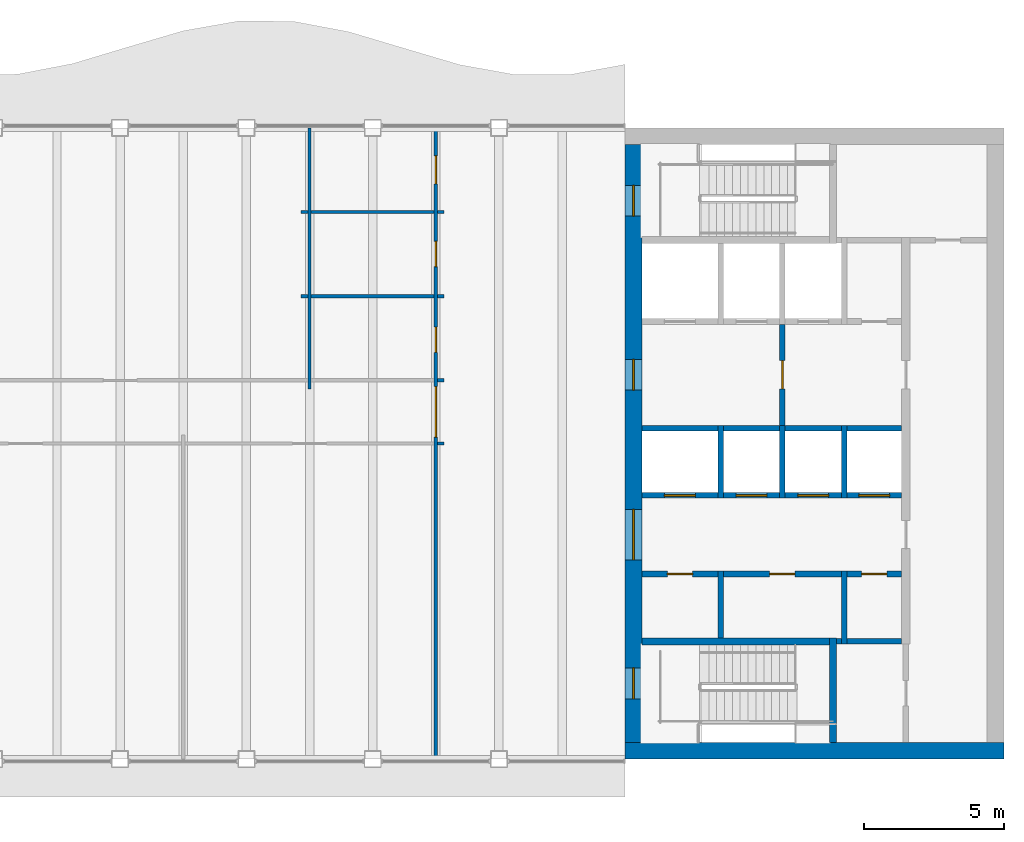
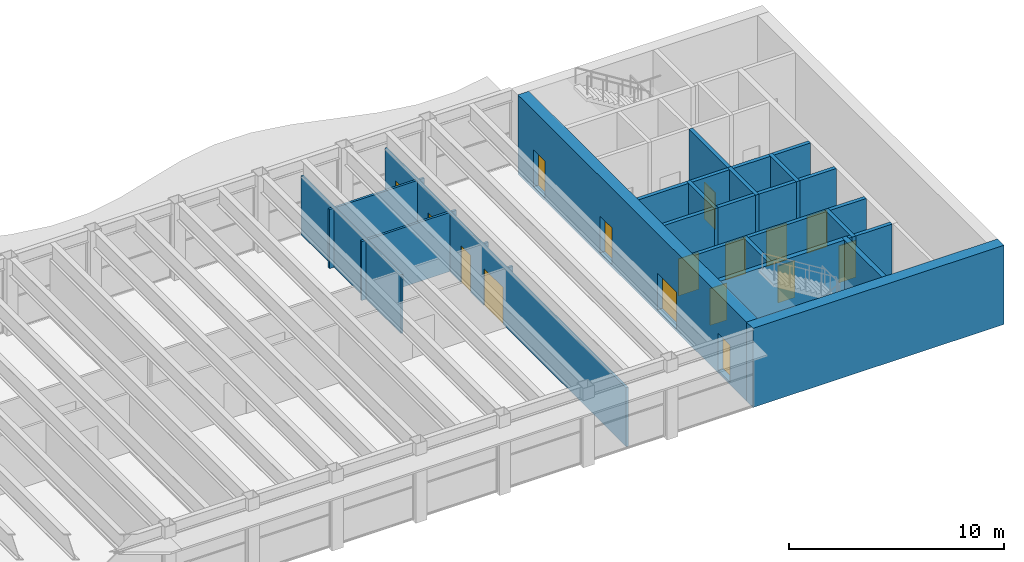
# One storey, part 10 of 15: 33 walls, 16 doors, 16 openings.
"""IFC4 building model written with IfcOpenShell, lengths in metres."""

from ifc_helpers import new_model, si_unit, direction, frame, frame_2d, origin, place, context, subcontext, project, spatial, rectangle, extrude, material, layer, layer_set, type_object, element, fill, save


model = new_model("IFC4")

# Units and contexts
model_context = context("Model", 3, precision=1e-05, world=origin(), true_north=direction((0.0, 1.0)))
body_context = subcontext(model_context, "Body", "Model", "MODEL_VIEW")
ifc_project = project(units=[si_unit("LENGTHUNIT", "METRE"), si_unit("AREAUNIT", "SQUARE_METRE"), si_unit("VOLUMEUNIT", "CUBIC_METRE"), si_unit("PLANEANGLEUNIT", "RADIAN"), si_unit("MASSUNIT", "GRAM", prefix="KILO")], contexts=[model_context])

# Site, building, storey
site_placement = place(None, origin())
site = spatial("IfcSite", under=ifc_project, at=site_placement, CompositionType="ELEMENT")
building_placement = place(site_placement, origin())
building = spatial("IfcBuilding", under=site, at=building_placement, Name="Sennacour Bend Tower", CompositionType="ELEMENT")
storey_placement = place(building_placement, frame((0.0, 0.0, 318.5)))
storey = spatial("IfcBuildingStorey", under=building, at=storey_placement, Name="L73", CompositionType="ELEMENT", Elevation=318.5)

# Wall
ifc_material_1 = material(Name="Concrete C50/60", Category="concrete")
ifc_layer_1 = layer(ifc_material_1, 0.60009765625, Name="Concrete C50/60", Category="concrete")
ifc_layer_set_1 = layer_set([ifc_layer_1], Name="Concrete C50/60")
wall_type_1 = type_object("IfcWallType", Name="Core wall 600 C50/60", PredefinedType="SHEAR", material=ifc_layer_set_1)
wall_1_placement = place(storey_placement, frame((67.5, 0.300048828125, -0.14990234375), z_axis=(0.0, 0.0, 1.0), x_axis=(-1.0, 0.0, 0.0)))
element("IfcWall", 1, at=wall_1_placement, inside=storey, type_object=wall_type_1, Name="Core A wall L73 S", PredefinedType="SHEAR", context=body_context, shape_type="SweptSolid", body=[
    extrude(rectangle(XDim=13.5, YDim=0.60009765625, at=frame_2d((6.75, 0.0))), origin(), (0.0, 0.0, 1.0), 4.5),
])

# Wall, openings, doors
wall_2_placement = place(storey_placement, frame((54.300048828125, 0.60009765625, -0.14990234375), z_axis=(0.0, 0.0, 1.0), x_axis=(0.0, 1.0, 0.0)))
wall_2 = element("IfcWall", 2, at=wall_2_placement, inside=storey, type_object=wall_type_1, Name="Core A wall L73 W", PredefinedType="SHEAR", context=body_context, shape_type="SweptSolid", body=[
    extrude(rectangle(XDim=21.2998046875, YDim=0.60009765625, at=frame_2d((10.64990234375, 0.0))), origin(), (0.0, 0.0, 1.0), 4.5),
])
opening_1_placement = place(wall_2_placement, frame((6.5, 0.0, 0.14990234375)))
opening_1 = element("IfcOpeningElement", 3, at=opening_1_placement, cuts=wall_2, Name="Opening CD", PredefinedType="OPENING", context=body_context, shape_type="SweptSolid", body=[
    extrude(rectangle(XDim=1.800048828125, YDim=2.10009765625, at=frame_2d((0.89990234375, 1.050048828125))), frame((0.0, 0.31005859375, 0.0), z_axis=(0.0, -1.0, 0.0), x_axis=(1.0, 0.0, 0.0)), (0.0, 0.0, 1.0), 0.6201171875),
])
opening_2_placement = place(wall_2_placement, frame((12.550048828125, 0.0, 0.14990234375)))
opening_2 = element("IfcOpeningElement", 4, at=opening_2_placement, cuts=wall_2, Name="Opening FD", PredefinedType="OPENING", context=body_context, shape_type="SweptSolid", body=[
    extrude(rectangle(XDim=1.10009765625, YDim=2.10009765625, at=frame_2d((0.550048828125, 1.050048828125))), frame((0.0, 0.31005859375, 0.0), z_axis=(0.0, -1.0, 0.0), x_axis=(1.0, 0.0, 0.0)), (0.0, 0.0, 1.0), 0.6201171875),
])
opening_3_placement = place(wall_2_placement, frame((1.550048828125, 0.0, 0.14990234375)))
opening_3 = element("IfcOpeningElement", 5, at=opening_3_placement, cuts=wall_2, Name="Opening SD", PredefinedType="OPENING", context=body_context, shape_type="SweptSolid", body=[
    extrude(rectangle(XDim=1.10009765625, YDim=2.10009765625, at=frame_2d((0.550048828125, 1.050048828125))), frame((0.0, 0.31005859375, 0.0), z_axis=(0.0, -1.0, 0.0), x_axis=(1.0, 0.0, 0.0)), (0.0, 0.0, 1.0), 0.6201171875),
])
opening_4_placement = place(wall_2_placement, frame((18.75, 0.0, 0.14990234375)))
opening_4 = element("IfcOpeningElement", 6, at=opening_4_placement, cuts=wall_2, Name="Opening SD", PredefinedType="OPENING", context=body_context, shape_type="SweptSolid", body=[
    extrude(rectangle(XDim=1.10009765625, YDim=2.10009765625, at=frame_2d((0.550048828125, 1.050048828125))), frame((0.0, 0.31005859375, 0.0), z_axis=(0.0, -1.0, 0.0), x_axis=(1.0, 0.0, 0.0)), (0.0, 0.0, 1.0), 0.6201171875),
])
ifc_material_2 = material(Name="Painted steel", Category="steel")
door_type_1 = type_object("IfcDoorType", Name="DR-FFL-1100", OperationType="NOTDEFINED", PredefinedType="DOOR", material=ifc_material_2)
door_1_placement = place(opening_2_placement, origin())
door_1 = element("IfcDoor", 7, at=door_1_placement, inside=storey, type_object=door_type_1, Name="Door", OperationType="SINGLE_SWING_RIGHT", OverallHeight=2.10009765625, OverallWidth=1.10009765625, PredefinedType="DOOR", context=body_context, shape_type="SweptSolid", body=[
    extrude(rectangle(XDim=1.10009765625, YDim=2.10009765625, at=frame_2d((0.550048828125, 1.050048828125))), frame((0.0, 0.02490234375, 0.0), z_axis=(0.0, -1.0, 0.0), x_axis=(1.0, 0.0, 0.0)), (0.0, 0.0, 1.0), 0.050048828125),
])
fill(opening_2, door_1)
door_type_2 = type_object("IfcDoorType", Name="DR-LOBBY-1800", OperationType="NOTDEFINED", PredefinedType="DOOR", material=ifc_material_2)
door_2_placement = place(opening_1_placement, origin())
door_2 = element("IfcDoor", 8, at=door_2_placement, inside=storey, type_object=door_type_2, Name="Door", OperationType="DOUBLE_DOOR_SINGLE_SWING", OverallHeight=2.10009765625, OverallWidth=1.800048828125, PredefinedType="DOOR", context=body_context, shape_type="SweptSolid", body=[
    extrude(rectangle(XDim=1.800048828125, YDim=2.10009765625, at=frame_2d((0.89990234375, 1.050048828125))), frame((0.0, 0.02490234375, 0.0), z_axis=(0.0, -1.0, 0.0), x_axis=(1.0, 0.0, 0.0)), (0.0, 0.0, 1.0), 0.050048828125),
])
fill(opening_1, door_2)
door_type_3 = type_object("IfcDoorType", Name="DR-STAIR-1100", OperationType="NOTDEFINED", PredefinedType="DOOR", material=ifc_material_2)
door_3_placement = place(opening_3_placement, origin())
door_3 = element("IfcDoor", 9, at=door_3_placement, inside=storey, type_object=door_type_3, Name="Door", OperationType="SINGLE_SWING_LEFT", OverallHeight=2.10009765625, OverallWidth=1.10009765625, PredefinedType="DOOR", context=body_context, shape_type="SweptSolid", body=[
    extrude(rectangle(XDim=1.10009765625, YDim=2.10009765625, at=frame_2d((0.550048828125, 1.050048828125))), frame((0.0, 0.02490234375, 0.0), z_axis=(0.0, -1.0, 0.0), x_axis=(1.0, 0.0, 0.0)), (0.0, 0.0, 1.0), 0.050048828125),
])
fill(opening_3, door_3)
door_4_placement = place(opening_4_placement, origin())
door_4 = element("IfcDoor", 10, at=door_4_placement, inside=storey, type_object=door_type_3, Name="Door", OperationType="SINGLE_SWING_RIGHT", OverallHeight=2.10009765625, OverallWidth=1.10009765625, PredefinedType="DOOR", context=body_context, shape_type="SweptSolid", body=[
    extrude(rectangle(XDim=1.10009765625, YDim=2.10009765625, at=frame_2d((0.550048828125, 1.050048828125))), frame((0.0, 0.02490234375, 0.0), z_axis=(0.0, -1.0, 0.0), x_axis=(1.0, 0.0, 0.0)), (0.0, 0.0, 1.0), 0.050048828125),
])
fill(opening_4, door_4)

# Walls
ifc_material_3 = material(Name="Plasterboard partition on steel studs", Category="steel")
ifc_layer_2 = layer(ifc_material_3, 0.1201171875, Name="Plasterboard partition on steel studs", Category="steel")
ifc_layer_set_2 = layer_set([ifc_layer_2], Name="Plasterboard partition on steel studs")
wall_type_2 = type_object("IfcWallType", Name="Partition 120", PredefinedType="PARTITIONING", material=ifc_layer_set_2)
wall_3_placement = place(storey_placement, frame((42.75, 13.199951171875, 0.0), z_axis=(0.0, 0.0, 1.0), x_axis=(0.0, 1.0, 0.0)))
element("IfcWall", 11, at=wall_3_placement, inside=storey, type_object=wall_type_2, Name="P-L73-W012a", PredefinedType="PARTITIONING", context=body_context, shape_type="SweptSolid", body=[
    extrude(rectangle(XDim=9.2900390625, YDim=0.1201171875, at=frame_2d((4.64501953125, 0.0))), origin(), (0.0, 0.0, 1.0), 3.35888671875),
])
for number, where, z_axis, x_axis, name in (
    (12, (47.31005859375, 11.25, 0.0), (0.0, 0.0, 1.0), (1.0, 0.0, 0.0), "P-L73-W036af"),
    (13, (47.31005859375, 13.5, 0.0), (0.0, 0.0, 1.0), (1.0, 0.0, 0.0), "P-L73-W038ag"),
    (14, (42.449951171875, 16.5, 0.0), (0.0, 0.0, 1.0), (1.0, 0.0, 0.0), "P-L73-W041aa"),
):
    element("IfcWall", number, at=place(storey_placement, frame(where, z_axis=z_axis, x_axis=x_axis)), inside=storey, type_object=wall_type_2, Name=name, PredefinedType="PARTITIONING", context=body_context, shape_type="SweptSolid", body=[
        extrude(rectangle(XDim=0.239990234375, YDim=0.1201171875, at=frame_2d((0.1201171875, 0.0))), origin(), (0.0, 0.0, 1.0), 3.35888671875),
    ])
wall_4_placement = place(storey_placement, frame((42.81005859375, 16.5, 0.0), z_axis=(0.0, 0.0, 1.0), x_axis=(1.0, 0.0, 0.0)))
element("IfcWall", 15, at=wall_4_placement, inside=storey, type_object=wall_type_2, Name="P-L73-W041ab", PredefinedType="PARTITIONING", context=body_context, shape_type="SweptSolid", body=[
    extrude(rectangle(XDim=4.3798828125, YDim=0.1201171875, at=frame_2d((2.18994140625, 0.0))), origin(), (0.0, 0.0, 1.0), 3.35888671875),
])
for number, where, z_axis, x_axis, name in (
    (16, (47.31005859375, 16.5, 0.0), (0.0, 0.0, 1.0), (1.0, 0.0, 0.0), "P-L73-W041ac"),
    (17, (42.449951171875, 19.5, 0.0), (0.0, 0.0, 1.0), (1.0, 0.0, 0.0), "P-L73-W045aa"),
):
    element("IfcWall", number, at=place(storey_placement, frame(where, z_axis=z_axis, x_axis=x_axis)), inside=storey, type_object=wall_type_2, Name=name, PredefinedType="PARTITIONING", context=body_context, shape_type="SweptSolid", body=[
        extrude(rectangle(XDim=0.239990234375, YDim=0.1201171875, at=frame_2d((0.1201171875, 0.0))), origin(), (0.0, 0.0, 1.0), 3.35888671875),
    ])
wall_5_placement = place(storey_placement, frame((42.81005859375, 19.5, 0.0), z_axis=(0.0, 0.0, 1.0), x_axis=(1.0, 0.0, 0.0)))
element("IfcWall", 18, at=wall_5_placement, inside=storey, type_object=wall_type_2, Name="P-L73-W045ab", PredefinedType="PARTITIONING", context=body_context, shape_type="SweptSolid", body=[
    extrude(rectangle(XDim=4.3798828125, YDim=0.1201171875, at=frame_2d((2.18994140625, 0.0))), origin(), (0.0, 0.0, 1.0), 3.35888671875),
])
wall_6_placement = place(storey_placement, frame((47.31005859375, 19.5, 0.0), z_axis=(0.0, 0.0, 1.0), x_axis=(1.0, 0.0, 0.0)))
element("IfcWall", 19, at=wall_6_placement, inside=storey, type_object=wall_type_2, Name="P-L73-W045ac", PredefinedType="PARTITIONING", context=body_context, shape_type="SweptSolid", body=[
    extrude(rectangle(XDim=0.239990234375, YDim=0.1201171875, at=frame_2d((0.1201171875, 0.0))), origin(), (0.0, 0.0, 1.0), 3.35888671875),
])

# Wall, openings, doors
ifc_layer_3 = layer(ifc_material_3, 0.1201171875, Name="Plasterboard partition on steel studs", Category="steel")
ifc_layer_set_3 = layer_set([ifc_layer_3], Name="Plasterboard partition on steel studs")
wall_type_3 = type_object("IfcWallType", Name="Partition 120 EI 30", PredefinedType="PARTITIONING", material=ifc_layer_set_3)
wall_7_placement = place(storey_placement, frame((47.25, 0.010009765625, 0.0), z_axis=(0.0, 0.0, 1.0), x_axis=(0.0, 1.0, 0.0)))
wall_7 = element("IfcWall", 20, at=wall_7_placement, inside=storey, type_object=wall_type_3, Name="P-L73-W013a", PredefinedType="PARTITIONING", context=body_context, shape_type="SweptSolid", body=[
    extrude(rectangle(XDim=22.47998046875, YDim=0.1201171875, at=frame_2d((11.239990234375, 0.0))), origin(), (0.0, 0.0, 1.0), 3.35888671875),
])
opening_5_placement = place(wall_7_placement, frame((11.465087890625, 0.0, 0.0)))
opening_5 = element("IfcOpeningElement", 21, at=opening_5_placement, cuts=wall_7, Name="Opening KD3", PredefinedType="OPENING", context=body_context, shape_type="SweptSolid", body=[
    extrude(rectangle(XDim=1.800048828125, YDim=2.10009765625, at=frame_2d((0.89990234375, 1.050048828125))), frame((0.0, 0.070068359375, 0.0), z_axis=(0.0, -1.0, 0.0), x_axis=(1.0, 0.0, 0.0)), (0.0, 0.0, 1.0), 0.14013671875),
])
opening_6_placement = place(wall_7_placement, frame((14.489990234375, 0.0, 0.0)))
opening_6 = element("IfcOpeningElement", 22, at=opening_6_placement, cuts=wall_7, Name="Opening WD", PredefinedType="OPENING", context=body_context, shape_type="SweptSolid", body=[
    extrude(rectangle(XDim=0.89990234375, YDim=2.10009765625, at=frame_2d((0.449951171875, 1.050048828125))), frame((0.0, 0.070068359375, 0.0), z_axis=(0.0, -1.0, 0.0), x_axis=(1.0, 0.0, 0.0)), (0.0, 0.0, 1.0), 0.14013671875),
])
opening_7_placement = place(wall_7_placement, frame((17.5400390625, 0.0, 0.0)))
opening_7 = element("IfcOpeningElement", 23, at=opening_7_placement, cuts=wall_7, Name="Opening WD", PredefinedType="OPENING", context=body_context, shape_type="SweptSolid", body=[
    extrude(rectangle(XDim=0.89990234375, YDim=2.10009765625, at=frame_2d((0.449951171875, 1.050048828125))), frame((0.0, 0.070068359375, 0.0), z_axis=(0.0, -1.0, 0.0), x_axis=(1.0, 0.0, 0.0)), (0.0, 0.0, 1.0), 0.14013671875),
])
opening_8_placement = place(wall_7_placement, frame((20.489990234375, 0.0, 0.0)))
opening_8 = element("IfcOpeningElement", 24, at=opening_8_placement, cuts=wall_7, Name="Opening AD", PredefinedType="OPENING", context=body_context, shape_type="SweptSolid", body=[
    extrude(rectangle(XDim=1.0, YDim=2.10009765625, at=frame_2d((0.5, 1.050048828125))), frame((0.0, 0.070068359375, 0.0), z_axis=(0.0, -1.0, 0.0), x_axis=(1.0, 0.0, 0.0)), (0.0, 0.0, 1.0), 0.14013671875),
])
ifc_material_4 = material(Name="Timber", Category="wood")
door_type_4 = type_object("IfcDoorType", Name="DR-ACC-WC-1000", OperationType="NOTDEFINED", PredefinedType="DOOR", material=ifc_material_4)
door_5_placement = place(opening_8_placement, origin())
door_5 = element("IfcDoor", 25, at=door_5_placement, inside=storey, type_object=door_type_4, Name="Door", OperationType="SINGLE_SWING_RIGHT", OverallHeight=2.10009765625, OverallWidth=1.0, PredefinedType="DOOR", context=body_context, shape_type="SweptSolid", body=[
    extrude(rectangle(XDim=1.0, YDim=2.10009765625, at=frame_2d((0.5, 1.050048828125))), frame((0.0, 0.02490234375, 0.0), z_axis=(0.0, -1.0, 0.0), x_axis=(1.0, 0.0, 0.0)), (0.0, 0.0, 1.0), 0.050048828125),
])
fill(opening_8, door_5)
door_type_5 = type_object("IfcDoorType", Name="DR-CORRIDOR-1800", OperationType="NOTDEFINED", PredefinedType="DOOR", material=ifc_material_2)
door_6_placement = place(opening_5_placement, origin())
door_6 = element("IfcDoor", 26, at=door_6_placement, inside=storey, type_object=door_type_5, Name="Door", OperationType="DOUBLE_DOOR_SINGLE_SWING", OverallHeight=2.10009765625, OverallWidth=1.800048828125, PredefinedType="DOOR", context=body_context, shape_type="SweptSolid", body=[
    extrude(rectangle(XDim=1.800048828125, YDim=2.10009765625, at=frame_2d((0.89990234375, 1.050048828125))), frame((0.0, 0.02490234375, 0.0), z_axis=(0.0, -1.0, 0.0), x_axis=(1.0, 0.0, 0.0)), (0.0, 0.0, 1.0), 0.050048828125),
])
fill(opening_5, door_6)
door_type_6 = type_object("IfcDoorType", Name="DR-WC-900", OperationType="NOTDEFINED", PredefinedType="DOOR", material=ifc_material_4)
door_7_placement = place(opening_6_placement, origin())
door_7 = element("IfcDoor", 27, at=door_7_placement, inside=storey, type_object=door_type_6, Name="Door", OperationType="SINGLE_SWING_RIGHT", OverallHeight=2.10009765625, OverallWidth=0.89990234375, PredefinedType="DOOR", context=body_context, shape_type="SweptSolid", body=[
    extrude(rectangle(XDim=0.89990234375, YDim=2.10009765625, at=frame_2d((0.449951171875, 1.050048828125))), frame((0.0, 0.02490234375, 0.0), z_axis=(0.0, -1.0, 0.0), x_axis=(1.0, 0.0, 0.0)), (0.0, 0.0, 1.0), 0.050048828125),
])
fill(opening_6, door_7)
door_8_placement = place(opening_7_placement, origin())
door_8 = element("IfcDoor", 28, at=door_8_placement, inside=storey, type_object=door_type_6, Name="Door", OperationType="SINGLE_SWING_RIGHT", OverallHeight=2.10009765625, OverallWidth=0.89990234375, PredefinedType="DOOR", context=body_context, shape_type="SweptSolid", body=[
    extrude(rectangle(XDim=0.89990234375, YDim=2.10009765625, at=frame_2d((0.449951171875, 1.050048828125))), frame((0.0, 0.02490234375, 0.0), z_axis=(0.0, -1.0, 0.0), x_axis=(1.0, 0.0, 0.0)), (0.0, 0.0, 1.0), 0.050048828125),
])
fill(opening_7, door_8)

# Walls
ifc_material_5 = material(Name="Fire-rated plasterboard partition on steel studs", Category="steel")
ifc_layer_4 = layer(ifc_material_5, 0.199951171875, Name="Fire-rated plasterboard partition on steel studs", Category="steel")
ifc_layer_set_4 = layer_set([ifc_layer_4], Name="Fire-rated plasterboard partition on steel studs")
wall_type_4 = type_object("IfcWallType", Name="Rated partition 200", PredefinedType="PARTITIONING", material=ifc_layer_set_4)
wall_8_placement = place(storey_placement, frame((57.39990234375, 4.324951171875, 0.0), z_axis=(0.0, 0.0, 1.0), x_axis=(0.0, 1.0, 0.0)))
element("IfcWall", 29, at=wall_8_placement, inside=storey, type_object=wall_type_4, Name="P-L73-W014", PredefinedType="PARTITIONING", context=body_context, shape_type="SweptSolid", body=[
    extrude(rectangle(XDim=2.375, YDim=0.199951171875, at=frame_2d((1.1875, 0.0))), origin(), (0.0, 0.0, 1.0), 4.35009765625),
])
wall_9_placement = place(storey_placement, frame((61.800048828125, 4.10009765625, 0.0), z_axis=(0.0, 0.0, 1.0), x_axis=(0.0, 1.0, 0.0)))
element("IfcWall", 30, at=wall_9_placement, inside=storey, type_object=wall_type_4, Name="P-L73-W022", PredefinedType="PARTITIONING", context=body_context, shape_type="SweptSolid", body=[
    extrude(rectangle(XDim=2.599853515625, YDim=0.199951171875, at=frame_2d((1.2998046875, 0.0))), origin(), (0.0, 0.0, 1.0), 4.35009765625),
])
wall_10_placement = place(storey_placement, frame((61.52490234375, 4.199951171875, 0.0), z_axis=(0.0, 0.0, 1.0), x_axis=(1.0, 0.0, 0.0)))
element("IfcWall", 31, at=wall_10_placement, inside=storey, type_object=wall_type_4, Name="P-L73-W033a", PredefinedType="PARTITIONING", context=body_context, shape_type="SweptSolid", body=[
    extrude(rectangle(XDim=0.175048828125, YDim=0.199951171875, at=frame_2d((0.08740234375, 0.0))), origin(), (0.0, 0.0, 1.0), 4.35009765625),
])
wall_11_placement = place(storey_placement, frame((61.89990234375, 4.199951171875, 0.0), z_axis=(0.0, 0.0, 1.0), x_axis=(1.0, 0.0, 0.0)))
element("IfcWall", 32, at=wall_11_placement, inside=storey, type_object=wall_type_4, Name="P-L73-W033b", PredefinedType="PARTITIONING", context=body_context, shape_type="SweptSolid", body=[
    extrude(rectangle(XDim=1.9501953125, YDim=0.199951171875, at=frame_2d((0.97509765625, 0.0))), origin(), (0.0, 0.0, 1.0), 4.35009765625),
])

# Wall, opening, door
wall_12_placement = place(storey_placement, frame((54.60009765625, 6.60009765625, 0.0), z_axis=(0.0, 0.0, 1.0), x_axis=(1.0, 0.0, 0.0)))
wall_12 = element("IfcWall", 33, at=wall_12_placement, inside=storey, type_object=wall_type_4, Name="P-L73-W034a", PredefinedType="PARTITIONING", context=body_context, shape_type="SweptSolid", body=[
    extrude(rectangle(XDim=2.699951171875, YDim=0.199951171875, at=frame_2d((1.35009765625, 0.0))), origin(), (0.0, 0.0, 1.0), 4.35009765625),
])
opening_9_placement = place(wall_12_placement, frame((0.89990234375, 0.0, 0.0)))
opening_9 = element("IfcOpeningElement", 34, at=opening_9_placement, cuts=wall_12, Name="Opening SV", PredefinedType="OPENING", context=body_context, shape_type="SweptSolid", body=[
    extrude(rectangle(XDim=0.89990234375, YDim=2.10009765625, at=frame_2d((0.449951171875, 1.050048828125))), frame((0.0, 0.10986328125, 0.0), z_axis=(0.0, -1.0, 0.0), x_axis=(1.0, 0.0, 0.0)), (0.0, 0.0, 1.0), 0.219970703125),
])
door_type_7 = type_object("IfcDoorType", Name="DR-SERVICE-900", OperationType="NOTDEFINED", PredefinedType="DOOR", material=ifc_material_2)
door_9_placement = place(opening_9_placement, origin())
door_9 = element("IfcDoor", 35, at=door_9_placement, inside=storey, type_object=door_type_7, Name="Door", OperationType="SINGLE_SWING_LEFT", OverallHeight=2.10009765625, OverallWidth=0.89990234375, PredefinedType="DOOR", context=body_context, shape_type="SweptSolid", body=[
    extrude(rectangle(XDim=0.89990234375, YDim=2.10009765625, at=frame_2d((0.449951171875, 1.050048828125))), frame((0.0, 0.02490234375, 0.0), z_axis=(0.0, -1.0, 0.0), x_axis=(1.0, 0.0, 0.0)), (0.0, 0.0, 1.0), 0.050048828125),
])
fill(opening_9, door_9)

wall_13_placement = place(storey_placement, frame((57.5, 6.60009765625, 0.0), z_axis=(0.0, 0.0, 1.0), x_axis=(1.0, 0.0, 0.0)))
wall_13 = element("IfcWall", 36, at=wall_13_placement, inside=storey, type_object=wall_type_4, Name="P-L73-W034b", PredefinedType="PARTITIONING", context=body_context, shape_type="SweptSolid", body=[
    extrude(rectangle(XDim=4.199951171875, YDim=0.199951171875, at=frame_2d((2.10009765625, 0.0))), origin(), (0.0, 0.0, 1.0), 4.35009765625),
])
opening_10_placement = place(wall_13_placement, frame((1.64990234375, 0.0, 0.0)))
opening_10 = element("IfcOpeningElement", 37, at=opening_10_placement, cuts=wall_13, Name="Opening WD", PredefinedType="OPENING", context=body_context, shape_type="SweptSolid", body=[
    extrude(rectangle(XDim=0.89990234375, YDim=2.10009765625, at=frame_2d((0.449951171875, 1.050048828125))), frame((0.0, 0.10986328125, 0.0), z_axis=(0.0, -1.0, 0.0), x_axis=(1.0, 0.0, 0.0)), (0.0, 0.0, 1.0), 0.219970703125),
])
door_10_placement = place(opening_10_placement, origin())
door_10 = element("IfcDoor", 38, at=door_10_placement, inside=storey, type_object=door_type_6, Name="Door", OperationType="SINGLE_SWING_RIGHT", OverallHeight=2.10009765625, OverallWidth=0.89990234375, PredefinedType="DOOR", context=body_context, shape_type="SweptSolid", body=[
    extrude(rectangle(XDim=0.89990234375, YDim=2.10009765625, at=frame_2d((0.449951171875, 1.050048828125))), frame((0.0, 0.02490234375, 0.0), z_axis=(0.0, -1.0, 0.0), x_axis=(1.0, 0.0, 0.0)), (0.0, 0.0, 1.0), 0.050048828125),
])
fill(opening_10, door_10)

wall_14_placement = place(storey_placement, frame((61.89990234375, 6.60009765625, 0.0), z_axis=(0.0, 0.0, 1.0), x_axis=(1.0, 0.0, 0.0)))
wall_14 = element("IfcWall", 39, at=wall_14_placement, inside=storey, type_object=wall_type_4, Name="P-L73-W034c", PredefinedType="PARTITIONING", context=body_context, shape_type="SweptSolid", body=[
    extrude(rectangle(XDim=1.9501953125, YDim=0.199951171875, at=frame_2d((0.97509765625, 0.0))), origin(), (0.0, 0.0, 1.0), 4.35009765625),
])
opening_11_placement = place(wall_14_placement, frame((0.525146484375, 0.0, 0.0)))
opening_11 = element("IfcOpeningElement", 40, at=opening_11_placement, cuts=wall_14, Name="Opening SV", PredefinedType="OPENING", context=body_context, shape_type="SweptSolid", body=[
    extrude(rectangle(XDim=0.89990234375, YDim=2.10009765625, at=frame_2d((0.449951171875, 1.050048828125))), frame((0.0, 0.10986328125, 0.0), z_axis=(0.0, -1.0, 0.0), x_axis=(1.0, 0.0, 0.0)), (0.0, 0.0, 1.0), 0.219970703125),
])
door_11_placement = place(opening_11_placement, origin())
door_11 = element("IfcDoor", 41, at=door_11_placement, inside=storey, type_object=door_type_7, Name="Door", OperationType="SINGLE_SWING_LEFT", OverallHeight=2.10009765625, OverallWidth=0.89990234375, PredefinedType="DOOR", context=body_context, shape_type="SweptSolid", body=[
    extrude(rectangle(XDim=0.89990234375, YDim=2.10009765625, at=frame_2d((0.449951171875, 1.050048828125))), frame((0.0, 0.02490234375, 0.0), z_axis=(0.0, -1.0, 0.0), x_axis=(1.0, 0.0, 0.0)), (0.0, 0.0, 1.0), 0.050048828125),
])
fill(opening_11, door_11)

ifc_layer_5 = layer(ifc_material_5, 0.199951171875, Name="Fire-rated plasterboard partition on steel studs", Category="steel")
ifc_layer_set_5 = layer_set([ifc_layer_5], Name="Fire-rated plasterboard partition on steel studs")
wall_type_5 = type_object("IfcWallType", Name="Rated partition 200 EI 90", PredefinedType="PARTITIONING", material=ifc_layer_set_5)
wall_15_placement = place(storey_placement, frame((59.60009765625, 11.89990234375, 0.0), z_axis=(0.0, 0.0, 1.0), x_axis=(0.0, 1.0, 0.0)))
wall_15 = element("IfcWall", 42, at=wall_15_placement, inside=storey, type_object=wall_type_5, Name="P-L73-W018", PredefinedType="PARTITIONING", context=body_context, shape_type="SweptSolid", body=[
    extrude(rectangle(XDim=3.60009765625, YDim=0.199951171875, at=frame_2d((1.800048828125, 0.0))), origin(), (0.0, 0.0, 1.0), 4.35009765625),
])
opening_12_placement = place(wall_15_placement, frame((1.300048828125, 0.0, 0.0)))
opening_12 = element("IfcOpeningElement", 43, at=opening_12_placement, cuts=wall_15, Name="Opening FD2", PredefinedType="OPENING", context=body_context, shape_type="SweptSolid", body=[
    extrude(rectangle(XDim=1.0, YDim=2.10009765625, at=frame_2d((0.5, 1.050048828125))), frame((0.0, 0.10986328125, 0.0), z_axis=(0.0, -1.0, 0.0), x_axis=(1.0, 0.0, 0.0)), (0.0, 0.0, 1.0), 0.219970703125),
])
door_type_8 = type_object("IfcDoorType", Name="DR-FFL-1000", OperationType="NOTDEFINED", PredefinedType="DOOR", material=ifc_material_2)
door_12_placement = place(opening_12_placement, origin())
door_12 = element("IfcDoor", 44, at=door_12_placement, inside=storey, type_object=door_type_8, Name="Door", OperationType="SINGLE_SWING_LEFT", OverallHeight=2.10009765625, OverallWidth=1.0, PredefinedType="DOOR", context=body_context, shape_type="SweptSolid", body=[
    extrude(rectangle(XDim=1.0, YDim=2.10009765625, at=frame_2d((0.5, 1.050048828125))), frame((0.0, 0.02490234375, 0.0), z_axis=(0.0, -1.0, 0.0), x_axis=(1.0, 0.0, 0.0)), (0.0, 0.0, 1.0), 0.050048828125),
])
fill(opening_12, door_12)

# Walls
ifc_layer_6 = layer(ifc_material_1, 0.199951171875, Name="Concrete C50/60", Category="concrete")
ifc_layer_set_6 = layer_set([ifc_layer_6], Name="Concrete C50/60")
wall_type_6 = type_object("IfcWallType", Name="Shaft wall 200", PredefinedType="SOLIDWALL", material=ifc_layer_set_6)
for number, where, z_axis, x_axis, name in (
    (45, (57.39990234375, 9.300048828125, 0.0), (0.0, 0.0, 1.0), (0.0, 1.0, 0.0), "P-L73-W015"),
    (46, (59.60009765625, 9.300048828125, 0.0), (0.0, 0.0, 1.0), (0.0, 1.0, 0.0), "P-L73-W017"),
    (47, (61.800048828125, 9.300048828125, 0.0), (0.0, 0.0, 1.0), (0.0, 1.0, 0.0), "P-L73-W023"),
):
    element("IfcWall", number, at=place(storey_placement, frame(where, z_axis=z_axis, x_axis=x_axis)), inside=storey, type_object=wall_type_6, Name=name, PredefinedType="SOLIDWALL", context=body_context, shape_type="SweptSolid", body=[
        extrude(rectangle(XDim=2.599853515625, YDim=0.199951171875, at=frame_2d((1.2998046875, 0.0))), origin(), (0.0, 0.0, 1.0), 4.35009765625),
    ])

# Wall, opening, door
wall_16_placement = place(storey_placement, frame((54.60009765625, 9.39990234375, 0.0), z_axis=(0.0, 0.0, 1.0), x_axis=(1.0, 0.0, 0.0)))
wall_16 = element("IfcWall", 48, at=wall_16_placement, inside=storey, type_object=wall_type_6, Name="P-L73-W035a", PredefinedType="SOLIDWALL", context=body_context, shape_type="SweptSolid", body=[
    extrude(rectangle(XDim=2.699951171875, YDim=0.199951171875, at=frame_2d((1.35009765625, 0.0))), origin(), (0.0, 0.0, 1.0), 4.35009765625),
])
opening_13_placement = place(wall_16_placement, frame((0.7998046875, 0.0, 0.011962890625)))
opening_13 = element("IfcOpeningElement", 49, at=opening_13_placement, cuts=wall_16, Name="Opening LD", PredefinedType="OPENING", context=body_context, shape_type="SweptSolid", body=[
    extrude(rectangle(XDim=1.10009765625, YDim=2.10009765625, at=frame_2d((0.550048828125, 1.050048828125))), frame((0.0, 0.10986328125, 0.0), z_axis=(0.0, -1.0, 0.0), x_axis=(1.0, 0.0, 0.0)), (0.0, 0.0, 1.0), 0.219970703125),
])
ifc_material_6 = material(Name="Stainless steel", Category="steel")
door_type_9 = type_object("IfcDoorType", Name="DR-LANDING-1100", OperationType="NOTDEFINED", PredefinedType="DOOR", material=ifc_material_6)
door_13_placement = place(opening_13_placement, origin())
door_13 = element("IfcDoor", 50, at=door_13_placement, inside=storey, type_object=door_type_9, Name="Lift landing door HA1", OperationType="SLIDING_TO_LEFT", OverallHeight=2.10009765625, OverallWidth=1.10009765625, PredefinedType="DOOR", context=body_context, shape_type="SweptSolid", body=[
    extrude(rectangle(XDim=1.10009765625, YDim=2.10009765625, at=frame_2d((0.550048828125, 1.050048828125))), frame((0.0, 0.02490234375, 0.0), z_axis=(0.0, -1.0, 0.0), x_axis=(1.0, 0.0, 0.0)), (0.0, 0.0, 1.0), 0.050048828125),
])
fill(opening_13, door_13)

wall_17_placement = place(storey_placement, frame((57.5, 9.39990234375, 0.0), z_axis=(0.0, 0.0, 1.0), x_axis=(1.0, 0.0, 0.0)))
wall_17 = element("IfcWall", 51, at=wall_17_placement, inside=storey, type_object=wall_type_6, Name="P-L73-W035b", PredefinedType="SOLIDWALL", context=body_context, shape_type="SweptSolid", body=[
    extrude(rectangle(XDim=2.0, YDim=0.199951171875, at=frame_2d((1.0, 0.0))), origin(), (0.0, 0.0, 1.0), 4.35009765625),
])
opening_14_placement = place(wall_17_placement, frame((0.449951171875, 0.0, 0.011962890625)))
opening_14 = element("IfcOpeningElement", 52, at=opening_14_placement, cuts=wall_17, Name="Opening LD", PredefinedType="OPENING", context=body_context, shape_type="SweptSolid", body=[
    extrude(rectangle(XDim=1.10009765625, YDim=2.10009765625, at=frame_2d((0.550048828125, 1.050048828125))), frame((0.0, 0.10986328125, 0.0), z_axis=(0.0, -1.0, 0.0), x_axis=(1.0, 0.0, 0.0)), (0.0, 0.0, 1.0), 0.219970703125),
])
door_14_placement = place(opening_14_placement, origin())
door_14 = element("IfcDoor", 53, at=door_14_placement, inside=storey, type_object=door_type_9, Name="Lift landing door HA2", OperationType="SLIDING_TO_RIGHT", OverallHeight=2.10009765625, OverallWidth=1.10009765625, PredefinedType="DOOR", context=body_context, shape_type="SweptSolid", body=[
    extrude(rectangle(XDim=1.10009765625, YDim=2.10009765625, at=frame_2d((0.550048828125, 1.050048828125))), frame((0.0, 0.02490234375, 0.0), z_axis=(0.0, -1.0, 0.0), x_axis=(1.0, 0.0, 0.0)), (0.0, 0.0, 1.0), 0.050048828125),
])
fill(opening_14, door_14)

wall_18_placement = place(storey_placement, frame((59.699951171875, 9.39990234375, 0.0), z_axis=(0.0, 0.0, 1.0), x_axis=(1.0, 0.0, 0.0)))
wall_18 = element("IfcWall", 54, at=wall_18_placement, inside=storey, type_object=wall_type_6, Name="P-L73-W035c", PredefinedType="SOLIDWALL", context=body_context, shape_type="SweptSolid", body=[
    extrude(rectangle(XDim=2.0, YDim=0.199951171875, at=frame_2d((1.0, 0.0))), origin(), (0.0, 0.0, 1.0), 4.35009765625),
])
opening_15_placement = place(wall_18_placement, frame((0.449951171875, 0.0, 0.011962890625)))
opening_15 = element("IfcOpeningElement", 55, at=opening_15_placement, cuts=wall_18, Name="Opening LD", PredefinedType="OPENING", context=body_context, shape_type="SweptSolid", body=[
    extrude(rectangle(XDim=1.10009765625, YDim=2.10009765625, at=frame_2d((0.550048828125, 1.050048828125))), frame((0.0, 0.10986328125, 0.0), z_axis=(0.0, -1.0, 0.0), x_axis=(1.0, 0.0, 0.0)), (0.0, 0.0, 1.0), 0.219970703125),
])
door_15_placement = place(opening_15_placement, origin())
door_15 = element("IfcDoor", 56, at=door_15_placement, inside=storey, type_object=door_type_9, Name="Lift landing door HA3", OperationType="SLIDING_TO_LEFT", OverallHeight=2.10009765625, OverallWidth=1.10009765625, PredefinedType="DOOR", context=body_context, shape_type="SweptSolid", body=[
    extrude(rectangle(XDim=1.10009765625, YDim=2.10009765625, at=frame_2d((0.550048828125, 1.050048828125))), frame((0.0, 0.02490234375, 0.0), z_axis=(0.0, -1.0, 0.0), x_axis=(1.0, 0.0, 0.0)), (0.0, 0.0, 1.0), 0.050048828125),
])
fill(opening_15, door_15)

wall_19_placement = place(storey_placement, frame((61.89990234375, 9.39990234375, 0.0), z_axis=(0.0, 0.0, 1.0), x_axis=(1.0, 0.0, 0.0)))
wall_19 = element("IfcWall", 57, at=wall_19_placement, inside=storey, type_object=wall_type_6, Name="P-L73-W035d", PredefinedType="SOLIDWALL", context=body_context, shape_type="SweptSolid", body=[
    extrude(rectangle(XDim=1.9501953125, YDim=0.199951171875, at=frame_2d((0.97509765625, 0.0))), origin(), (0.0, 0.0, 1.0), 4.35009765625),
])
opening_16_placement = place(wall_19_placement, frame((0.425048828125, 0.0, 0.011962890625)))
opening_16 = element("IfcOpeningElement", 58, at=opening_16_placement, cuts=wall_19, Name="Opening LD", PredefinedType="OPENING", context=body_context, shape_type="SweptSolid", body=[
    extrude(rectangle(XDim=1.10009765625, YDim=2.10009765625, at=frame_2d((0.550048828125, 1.050048828125))), frame((0.0, 0.10986328125, 0.0), z_axis=(0.0, -1.0, 0.0), x_axis=(1.0, 0.0, 0.0)), (0.0, 0.0, 1.0), 0.219970703125),
])
door_16_placement = place(opening_16_placement, origin())
door_16 = element("IfcDoor", 59, at=door_16_placement, inside=storey, type_object=door_type_9, Name="Lift landing door HA4", OperationType="SLIDING_TO_RIGHT", OverallHeight=2.10009765625, OverallWidth=1.10009765625, PredefinedType="DOOR", context=body_context, shape_type="SweptSolid", body=[
    extrude(rectangle(XDim=1.10009765625, YDim=2.10009765625, at=frame_2d((0.550048828125, 1.050048828125))), frame((0.0, 0.02490234375, 0.0), z_axis=(0.0, -1.0, 0.0), x_axis=(1.0, 0.0, 0.0)), (0.0, 0.0, 1.0), 0.050048828125),
])
fill(opening_16, door_16)

# Walls
wall_20_placement = place(storey_placement, frame((54.60009765625, 11.800048828125, 0.0), z_axis=(0.0, 0.0, 1.0), x_axis=(1.0, 0.0, 0.0)))
element("IfcWall", 60, at=wall_20_placement, inside=storey, type_object=wall_type_6, Name="P-L73-W037a", PredefinedType="SOLIDWALL", context=body_context, shape_type="SweptSolid", body=[
    extrude(rectangle(XDim=2.699951171875, YDim=0.199951171875, at=frame_2d((1.35009765625, 0.0))), origin(), (0.0, 0.0, 1.0), 4.35009765625),
])
for number, where, z_axis, x_axis, name in (
    (61, (57.5, 11.800048828125, 0.0), (0.0, 0.0, 1.0), (1.0, 0.0, 0.0), "P-L73-W037b"),
    (62, (59.699951171875, 11.800048828125, 0.0), (0.0, 0.0, 1.0), (1.0, 0.0, 0.0), "P-L73-W037c"),
):
    element("IfcWall", number, at=place(storey_placement, frame(where, z_axis=z_axis, x_axis=x_axis)), inside=storey, type_object=wall_type_6, Name=name, PredefinedType="SOLIDWALL", context=body_context, shape_type="SweptSolid", body=[
        extrude(rectangle(XDim=2.0, YDim=0.199951171875, at=frame_2d((1.0, 0.0))), origin(), (0.0, 0.0, 1.0), 4.35009765625),
    ])
wall_21_placement = place(storey_placement, frame((61.89990234375, 11.800048828125, 0.0), z_axis=(0.0, 0.0, 1.0), x_axis=(1.0, 0.0, 0.0)))
element("IfcWall", 63, at=wall_21_placement, inside=storey, type_object=wall_type_6, Name="P-L73-W037d", PredefinedType="SOLIDWALL", context=body_context, shape_type="SweptSolid", body=[
    extrude(rectangle(XDim=1.9501953125, YDim=0.199951171875, at=frame_2d((0.97509765625, 0.0))), origin(), (0.0, 0.0, 1.0), 4.35009765625),
])
ifc_material_7 = material(Name="Concrete C60/75", Category="concrete")
ifc_layer_7 = layer(ifc_material_7, 0.25, Name="Concrete C60/75", Category="concrete")
ifc_layer_set_7 = layer_set([ifc_layer_7], Name="Concrete C60/75")
wall_type_7 = type_object("IfcWallType", Name="Stair wall 250", PredefinedType="SHEAR", material=ifc_layer_set_7)
wall_22_placement = place(storey_placement, frame((61.39990234375, 0.60009765625, 0.0), z_axis=(0.0, 0.0, 1.0), x_axis=(0.0, 1.0, 0.0)))
element("IfcWall", 64, at=wall_22_placement, inside=storey, type_object=wall_type_7, Name="P-L73-W020", PredefinedType="SHEAR", context=body_context, shape_type="SweptSolid", body=[
    extrude(rectangle(XDim=3.724853515625, YDim=0.25, at=frame_2d((1.8623046875, 0.0))), origin(), (0.0, 0.0, 1.0), 4.35009765625),
])
wall_23_placement = place(storey_placement, frame((54.60009765625, 4.199951171875, 0.0), z_axis=(0.0, 0.0, 1.0), x_axis=(1.0, 0.0, 0.0)))
element("IfcWall", 65, at=wall_23_placement, inside=storey, type_object=wall_type_7, Name="P-L73-W032", PredefinedType="SHEAR", context=body_context, shape_type="SweptSolid", body=[
    extrude(rectangle(XDim=6.6748046875, YDim=0.25, at=frame_2d((3.33740234375, 0.0))), origin(), (0.0, 0.0, 1.0), 4.35009765625),
])

save(model, "model.ifc")
